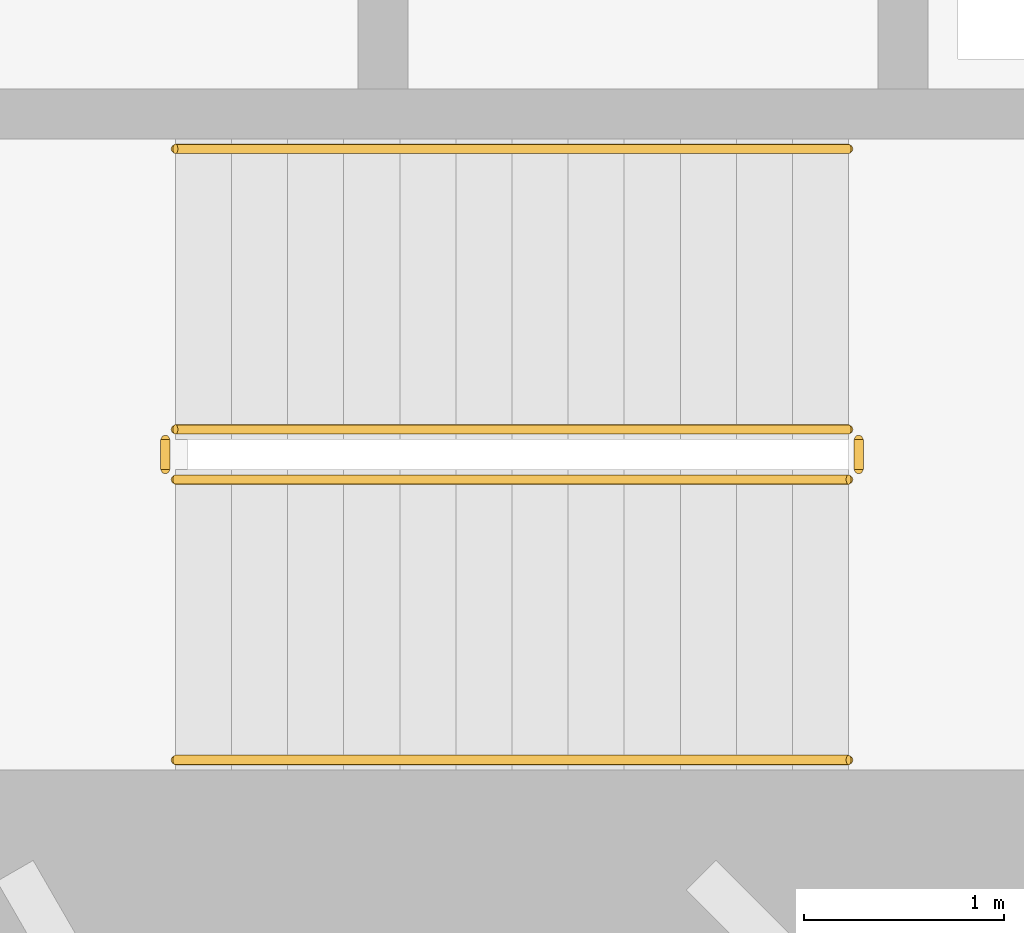
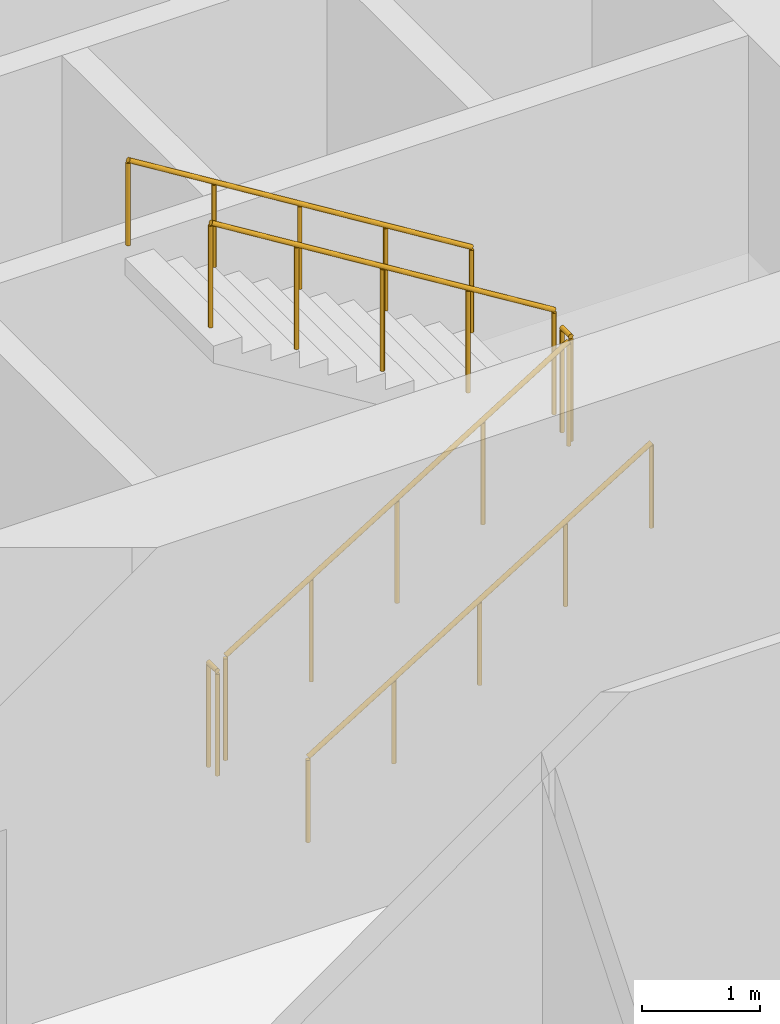
# One storey, part 41 of 43: 6 railings.
"""IFC4 building model written with IfcOpenShell, lengths in metres."""

from ifc_helpers import new_model, si_unit, direction, frame, origin, origin_2d, place, context, subcontext, project, spatial, circle, extrude, material, type_object, element, save


model = new_model("IFC4")

# Units and contexts
model_context = context("Model", 3, precision=1e-05, world=origin(), true_north=direction((0.0, 1.0)))
body_context = subcontext(model_context, "Body", "Model", "MODEL_VIEW")
ifc_project = project(units=[si_unit("LENGTHUNIT", "METRE"), si_unit("AREAUNIT", "SQUARE_METRE"), si_unit("VOLUMEUNIT", "CUBIC_METRE"), si_unit("PLANEANGLEUNIT", "RADIAN"), si_unit("MASSUNIT", "GRAM", prefix="KILO")], contexts=[model_context])

# Site, building, storey
site_placement = place(None, origin())
site = spatial("IfcSite", under=ifc_project, at=site_placement, CompositionType="ELEMENT")
building_placement = place(site_placement, origin())
building = spatial("IfcBuilding", under=site, at=building_placement, Name="Rimbun Link Towers", CompositionType="ELEMENT")
storey_placement = place(building_placement, frame((0.0, 0.0, 12.0)))
storey = spatial("IfcBuildingStorey", under=building, at=storey_placement, Name="L02", CompositionType="ELEMENT", Elevation=12.0)

# Railings
ifc_material_1 = material(Name="Stainless steel grade 316", Category="steel")
railing_type_1 = type_object("IfcRailingType", Name="Stair guard", PredefinedType="GUARDRAIL", material=ifc_material_1)
railing_1_placement = place(storey_placement, frame((37.199951171875, -6.10009765625, 0.173095703125)))
element("IfcRailing", 1, at=railing_1_placement, inside=storey, type_object=railing_type_1, Name="L02 ST4 stair guard 1", PredefinedType="GUARDRAIL", context=body_context, shape_type="SweptSolid", body=[
    extrude(circle(Radius=0.02392578125, at=origin_2d()), frame((0.0, 0.0, 1.076171875), z_axis=(0.850623216509, 0.0, 0.525775754039), x_axis=(0.0, 1.0, 0.0)), (0.0, 0.0, 1.0), 3.9501953125),
    extrude(circle(Radius=0.02099609375, at=origin_2d()), origin(), (0.0, 0.0, 1.0), 1.052001953125),
    extrude(circle(Radius=0.02099609375, at=origin_2d()), frame((0.840087890625, 0.0, 0.519287109375)), (0.0, 0.0, 1.0), 1.052001953125),
    extrude(circle(Radius=0.02099609375, at=origin_2d()), frame((1.68017578125, 0.0, 1.03857421875)), (0.0, 0.0, 1.0), 1.052001953125),
    extrude(circle(Radius=0.02099609375, at=origin_2d()), frame((2.52001953125, 0.0, 1.5576171875)), (0.0, 0.0, 1.0), 1.052001953125),
    extrude(circle(Radius=0.02099609375, at=origin_2d()), frame((3.360107421875, 0.0, 2.076904296875)), (0.0, 0.0, 1.0), 1.052001953125),
])
railing_2_placement = place(storey_placement, frame((40.610107421875, -6.050048828125, 2.25)))
element("IfcRailing", 2, at=railing_2_placement, inside=storey, type_object=railing_type_1, Name="L02 ST4 stair guard 2", PredefinedType="GUARDRAIL", context=body_context, shape_type="SweptSolid", body=[
    extrude(circle(Radius=0.02392578125, at=origin_2d()), frame((0.0, 0.0, 1.076171875), z_axis=(0.0, 1.0, 0.0), x_axis=(-1.0, 0.0, 0.0)), (0.0, 0.0, 1.0), 0.150146484375),
    extrude(circle(Radius=0.02099609375, at=origin_2d()), origin(), (0.0, 0.0, 1.0), 1.052001953125),
    extrude(circle(Radius=0.02099609375, at=origin_2d()), frame((0.0, 0.150146484375, 0.0)), (0.0, 0.0, 1.0), 1.052001953125),
])
railing_3_placement = place(storey_placement, frame((40.56005859375, -5.85009765625, 2.423095703125)))
element("IfcRailing", 3, at=railing_3_placement, inside=storey, type_object=railing_type_1, Name="L02 ST4 stair guard 3", PredefinedType="GUARDRAIL", context=body_context, shape_type="SweptSolid", body=[
    extrude(circle(Radius=0.02392578125, at=origin_2d()), frame((0.0, 0.0, 1.076171875), z_axis=(-0.850623216509, 0.0, 0.525775754039), x_axis=(0.0, -1.0, 0.0)), (0.0, 0.0, 1.0), 3.9501953125),
    extrude(circle(Radius=0.02099609375, at=origin_2d()), origin(), (0.0, 0.0, 1.0), 1.052001953125),
    extrude(circle(Radius=0.02099609375, at=origin_2d()), frame((-0.840087890625, 0.0, 0.519287109375)), (0.0, 0.0, 1.0), 1.052001953125),
    extrude(circle(Radius=0.02099609375, at=origin_2d()), frame((-1.68017578125, 0.0, 1.03857421875)), (0.0, 0.0, 1.0), 1.052001953125),
    extrude(circle(Radius=0.02099609375, at=origin_2d()), frame((-2.52001953125, 0.0, 1.5576171875)), (0.0, 0.0, 1.0), 1.052001953125),
    extrude(circle(Radius=0.02099609375, at=origin_2d()), frame((-3.360107421875, 0.0, 2.076904296875)), (0.0, 0.0, 1.0), 1.052001953125),
])
railing_4_placement = place(storey_placement, frame((37.14990234375, -6.050048828125, 0.0)))
element("IfcRailing", 4, at=railing_4_placement, inside=storey, type_object=railing_type_1, Name="L02 ST4 stair guard 4", PredefinedType="GUARDRAIL", context=body_context, shape_type="SweptSolid", body=[
    extrude(circle(Radius=0.02392578125, at=origin_2d()), frame((0.0, 0.0, 1.076171875), z_axis=(0.0, 1.0, 0.0), x_axis=(-1.0, 0.0, 0.0)), (0.0, 0.0, 1.0), 0.150146484375),
    extrude(circle(Radius=0.02099609375, at=origin_2d()), origin(), (0.0, 0.0, 1.0), 1.052001953125),
    extrude(circle(Radius=0.02099609375, at=origin_2d()), frame((0.0, 0.150146484375, 0.0)), (0.0, 0.0, 1.0), 1.052001953125),
])
ifc_material_2 = material(Name="Stainless steel grade 316", Category="steel")
railing_type_2 = type_object("IfcRailingType", Name="Stair handrail", PredefinedType="HANDRAIL", material=ifc_material_2)
railing_5_placement = place(storey_placement, frame((37.199951171875, -7.5, 0.173095703125)))
element("IfcRailing", 5, at=railing_5_placement, inside=storey, type_object=railing_type_2, Name="L02 ST4 stair handrail 1", PredefinedType="HANDRAIL", context=body_context, shape_type="SweptSolid", body=[
    extrude(circle(Radius=0.02392578125, at=origin_2d()), frame((0.0, 0.0, 0.8759765625), z_axis=(0.850623216509, 0.0, 0.525775754039), x_axis=(0.0, 1.0, 0.0)), (0.0, 0.0, 1.0), 3.9501953125),
    extrude(circle(Radius=0.02099609375, at=origin_2d()), origin(), (0.0, 0.0, 1.0), 0.851806640625),
    extrude(circle(Radius=0.02099609375, at=origin_2d()), frame((0.840087890625, 0.0, 0.519287109375)), (0.0, 0.0, 1.0), 0.851806640625),
    extrude(circle(Radius=0.02099609375, at=origin_2d()), frame((1.68017578125, 0.0, 1.03857421875)), (0.0, 0.0, 1.0), 0.851806640625),
    extrude(circle(Radius=0.02099609375, at=origin_2d()), frame((2.52001953125, 0.0, 1.5576171875)), (0.0, 0.0, 1.0), 0.851806640625),
    extrude(circle(Radius=0.02099609375, at=origin_2d()), frame((3.360107421875, 0.0, 2.076904296875)), (0.0, 0.0, 1.0), 0.851806640625),
])
railing_6_placement = place(storey_placement, frame((40.56005859375, -4.449951171875, 2.423095703125)))
element("IfcRailing", 6, at=railing_6_placement, inside=storey, type_object=railing_type_2, Name="L02 ST4 stair handrail 2", PredefinedType="HANDRAIL", context=body_context, shape_type="SweptSolid", body=[
    extrude(circle(Radius=0.02392578125, at=origin_2d()), frame((0.0, 0.0, 0.8759765625), z_axis=(-0.850623216509, 0.0, 0.525775754039), x_axis=(0.0, -1.0, 0.0)), (0.0, 0.0, 1.0), 3.9501953125),
    extrude(circle(Radius=0.02099609375, at=origin_2d()), origin(), (0.0, 0.0, 1.0), 0.851806640625),
    extrude(circle(Radius=0.02099609375, at=origin_2d()), frame((-0.840087890625, 0.0, 0.519287109375)), (0.0, 0.0, 1.0), 0.851806640625),
    extrude(circle(Radius=0.02099609375, at=origin_2d()), frame((-1.68017578125, 0.0, 1.03857421875)), (0.0, 0.0, 1.0), 0.851806640625),
    extrude(circle(Radius=0.02099609375, at=origin_2d()), frame((-2.52001953125, 0.0, 1.5576171875)), (0.0, 0.0, 1.0), 0.851806640625),
    extrude(circle(Radius=0.02099609375, at=origin_2d()), frame((-3.360107421875, 0.0, 2.076904296875)), (0.0, 0.0, 1.0), 0.851806640625),
])

save(model, "model.ifc")
